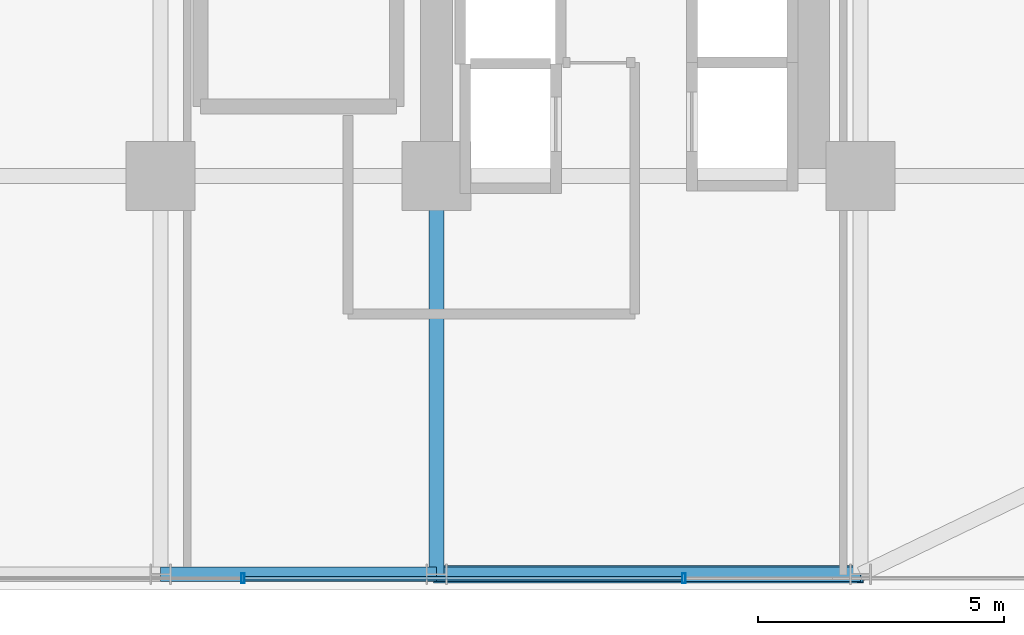
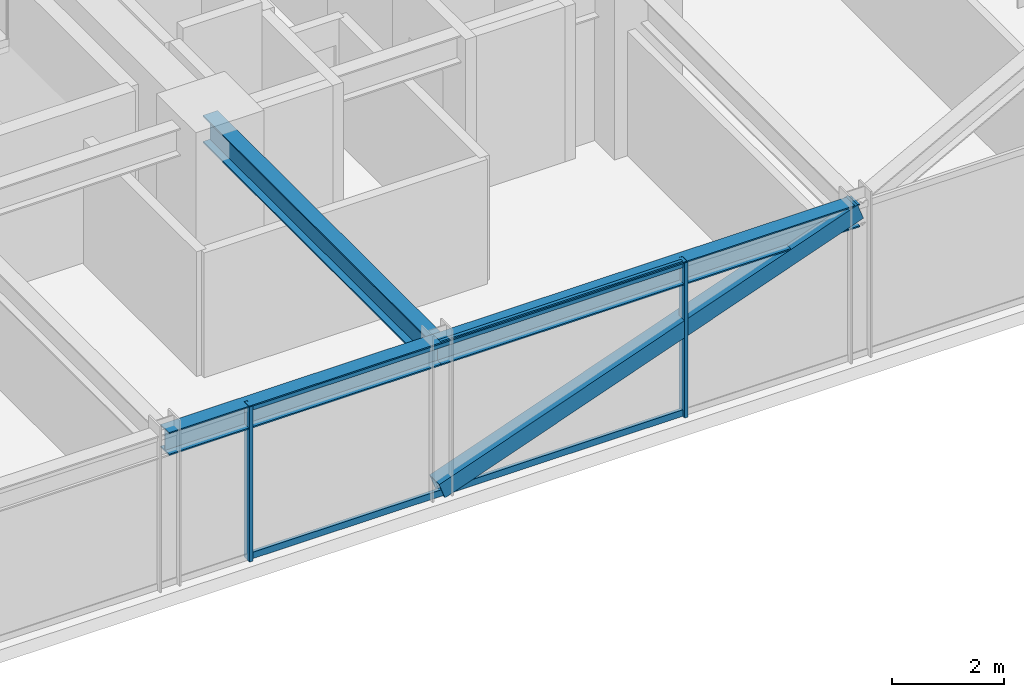
# One storey, part 12 of 43: 5 members, 3 beams, 1 element without a shape of its own.
"""IFC4 building model written with IfcOpenShell, lengths in metres."""

from ifc_helpers import new_model, si_unit, direction, frame, origin, origin_2d, place, context, subcontext, project, spatial, hollow_rectangle, i_section, extrude, source, transform, mapped, material, material_profile, profile_set, type_object, element, aggregate, save


model = new_model("IFC4")

# Units and contexts
model_context = context("Model", 3, precision=1e-05, world=origin(), true_north=direction((0.0, 1.0)))
body_context = subcontext(model_context, "Body", "Model", "MODEL_VIEW")
ifc_project = project(units=[si_unit("LENGTHUNIT", "METRE"), si_unit("AREAUNIT", "SQUARE_METRE"), si_unit("VOLUMEUNIT", "CUBIC_METRE"), si_unit("PLANEANGLEUNIT", "RADIAN"), si_unit("MASSUNIT", "GRAM", prefix="KILO")], contexts=[model_context])

# Site, building, storey
site_placement = place(None, origin())
site = spatial("IfcSite", under=ifc_project, at=site_placement, CompositionType="ELEMENT")
building_placement = place(site_placement, origin())
building = spatial("IfcBuilding", under=site, at=building_placement, Name="Nahalor Promenade Grand Hotel", CompositionType="ELEMENT")
storey_placement = place(building_placement, frame((0.0, 0.0, 47.0)))
storey = spatial("IfcBuildingStorey", under=building, at=storey_placement, Name="L10", CompositionType="ELEMENT", Elevation=47.0)

# Beams
ifc_material_1 = material(Name="Steel S355JR", Category="steel")
ifc_material_profile_1 = material_profile(ifc_material_1, i_section(OverallWidth=0.3, OverallDepth=0.5, WebThickness=0.0145, FlangeThickness=0.028, at=origin_2d()), Name="HEB 500")
ifc_profile_set_1 = profile_set([ifc_material_profile_1], Name="Steel S355JR")
beam_type_1 = type_object("IfcBeamType", Name="Beam-Spandrel-HEB500", PredefinedType="SPANDREL", material=ifc_profile_set_1)
shared_shape_1 = source(origin(), body_context, "Body", "SweptSolid", [
    extrude(i_section(OverallWidth=0.3, OverallDepth=0.5, WebThickness=0.0145, FlangeThickness=0.028, at=origin_2d()), origin(), (0.0, 0.0, 1.0), 8.60009765625),
])
beam_1_placement = place(storey_placement, frame((8.39990234375, -25.080078125, 3.1201171875), z_axis=(1.0, 0.0, 0.0), x_axis=(0.0, 1.0, 0.0)))
element("IfcBeam", 1, at=beam_1_placement, inside=storey, type_object=beam_type_1, Name="BM-L10-SP-S-4", PredefinedType="SPANDREL", context=body_context, shape_type="MappedRepresentation", body=[
    mapped(shared_shape_1, transform((0.0, 0.0, 0.0), scale=1.0)),
])
shared_shape_2 = source(origin(), body_context, "Body", "SweptSolid", [
    extrude(i_section(OverallWidth=0.3, OverallDepth=0.5, WebThickness=0.0145, FlangeThickness=0.028, at=origin_2d()), origin(), (0.0, 0.0, 1.0), 5.599853515625),
])
beam_2_placement = place(storey_placement, frame((2.800048828125, -25.080078125, 3.1201171875), z_axis=(1.0, 0.0, 0.0), x_axis=(0.0, 1.0, 0.0)))
element("IfcBeam", 2, at=beam_2_placement, inside=storey, type_object=beam_type_1, Name="BM-L10-SP-S-3", PredefinedType="SPANDREL", context=body_context, shape_type="MappedRepresentation", body=[
    mapped(shared_shape_2, transform((0.0, 0.0, 0.0), scale=1.0)),
])
ifc_material_profile_2 = material_profile(ifc_material_1, i_section(OverallWidth=0.3, OverallDepth=0.6, WebThickness=0.0155, FlangeThickness=0.03, at=origin_2d()), Name="HEB 600")
ifc_profile_set_2 = profile_set([ifc_material_profile_2], Name="Steel S355JR")
beam_type_2 = type_object("IfcBeamType", Name="Beam-Girder-HEB600", PredefinedType="BEAM", material=ifc_profile_set_2)
shared_shape_3 = source(origin(), body_context, "Body", "SweptSolid", [
    extrude(i_section(OverallWidth=0.3, OverallDepth=0.6, WebThickness=0.0155, FlangeThickness=0.03, at=origin_2d()), origin(), (0.0, 0.0, 1.0), 8.080078125),
])
beam_3_placement = place(storey_placement, frame((8.39990234375, -25.080078125, 3.070068359375), z_axis=(0.0, 1.0, 0.0), x_axis=(-1.0, 0.0, 0.0)))
element("IfcBeam", 3, at=beam_3_placement, inside=storey, type_object=beam_type_2, Name="BM-L10-GY-4-0", PredefinedType="BEAM", context=body_context, shape_type="MappedRepresentation", body=[
    mapped(shared_shape_3, transform((0.0, 0.0, 0.0), scale=1.0)),
])

# Member
ifc_material_profile_3 = material_profile(ifc_material_1, hollow_rectangle(XDim=0.35, YDim=0.35, WallThickness=0.02, at=origin_2d()), Name="SHS 350x350x20")
ifc_profile_set_3 = profile_set([ifc_material_profile_3], Name="Steel S355JR")
member_type_1 = type_object("IfcMemberType", Name="Mem-VoidBrace-SHS350", PredefinedType="BRACE", material=ifc_profile_set_3)
shared_shape_4 = source(origin(), body_context, "Body", "SweptSolid", [
    extrude(hollow_rectangle(XDim=0.35, YDim=0.35, WallThickness=0.02, at=origin_2d()), origin(), (0.0, 0.0, 1.0), 9.131591796875),
])
member_1_placement = place(storey_placement, frame((8.39990234375, -25.080078125, 0.14990234375), z_axis=(0.941790292179, 0.0, 0.336200900589), x_axis=(0.0, 1.0, 0.0)))
element("IfcMember", 4, at=member_1_placement, inside=storey, type_object=member_type_1, Name="EXO-L10-S-1", PredefinedType="BRACE", context=body_context, shape_type="MappedRepresentation", body=[
    mapped(shared_shape_4, transform((0.0, 0.0, 0.0), scale=1.0)),
])

# Curtain wall, members
ifc_material_2 = material(Name="Anodised Bronze Aluminium EN AW-6063 T6", Category="aluminium")
curtain_wall_type = type_object("IfcCurtainWallType", Name="CW3 Elliptical-Void Collar Unitised Curtain Wall", PredefinedType="USERDEFINED", material=ifc_material_2)
curtain_wall_placement = place(storey_placement, origin())
curtain_wall = element("IfcCurtainWall", 5, at=curtain_wall_placement, inside=storey, type_object=curtain_wall_type, Name="L10 Curtain Wall CW-L10-S-1", ObjectType="UNITISED_CURTAIN_WALL", PredefinedType="USERDEFINED")
ifc_material_profile_4 = material_profile(ifc_material_2, hollow_rectangle(XDim=0.07, YDim=0.14, WallThickness=0.004, at=origin_2d()), Name="CWT 70x140x4")
ifc_profile_set_4 = profile_set([ifc_material_profile_4], Name="Anodised Bronze Aluminium EN AW-6063 T6")
member_type_2 = type_object("IfcMemberType", Name="CWT3 Void Collar Transom 70x140", PredefinedType="USERDEFINED", material=ifc_profile_set_4)
shared_shape_5 = source(origin(), body_context, "Body", "SweptSolid", [
    extrude(hollow_rectangle(XDim=0.07, YDim=0.14, WallThickness=0.004, at=origin_2d()), origin(), (0.0, 0.0, 1.0), 8.8740234375),
])
member_2_placement = place(storey_placement, frame((4.507080078125, -25.159912109375, 0.070068359375), z_axis=(1.0, 0.0, 0.0), x_axis=(0.0, 1.0, 0.0)))
member_2 = element("IfcMember", 6, at=member_2_placement, type_object=member_type_2, Name="CW-L10-S-1 Transom 3-0", ObjectType="TRANSOM", PredefinedType="USERDEFINED", context=body_context, shape_type="MappedRepresentation", body=[
    mapped(shared_shape_5, transform((0.0, 0.0, 0.0), scale=1.0)),
])
member_3_placement = place(storey_placement, frame((4.507080078125, -25.159912109375, 3.300048828125), z_axis=(1.0, 0.0, 0.0), x_axis=(0.0, 1.0, 0.0)))
member_3 = element("IfcMember", 7, at=member_3_placement, type_object=member_type_2, Name="CW-L10-S-1 Transom 3-1", ObjectType="TRANSOM", PredefinedType="USERDEFINED", context=body_context, shape_type="MappedRepresentation", body=[
    mapped(shared_shape_5, transform((0.0, 0.0, 0.0), scale=1.0)),
])
ifc_material_profile_5 = material_profile(ifc_material_2, hollow_rectangle(XDim=0.07, YDim=0.2, WallThickness=0.005, at=origin_2d()), Name="CWM 70x200x5")
ifc_profile_set_5 = profile_set([ifc_material_profile_5], Name="Anodised Bronze Aluminium EN AW-6063 T6")
member_type_3 = type_object("IfcMemberType", Name="CWM3 Void Collar Mullion 70x200", PredefinedType="MULLION", material=ifc_profile_set_5)
shared_shape_6 = source(origin(), body_context, "Body", "SweptSolid", [
    extrude(hollow_rectangle(XDim=0.07, YDim=0.2, WallThickness=0.005, at=origin_2d()), origin(), (0.0, 0.0, 1.0), 3.3701171875),
])
member_4_placement = place(storey_placement, frame((4.471923828125, -25.159912109375, 0.0), z_axis=(0.0, 0.0, 1.0), x_axis=(1.0, 0.0, 0.0)))
member_4 = element("IfcMember", 8, at=member_4_placement, type_object=member_type_3, Name="CW-L10-S-1 Mullion 3", PredefinedType="MULLION", context=body_context, shape_type="MappedRepresentation", body=[
    mapped(shared_shape_6, transform((0.0, 0.0, 0.0), scale=1.0)),
])
member_5_placement = place(storey_placement, frame((13.416015625, -25.159912109375, 0.0), z_axis=(0.0, 0.0, 1.0), x_axis=(1.0, 0.0, 0.0)))
member_5 = element("IfcMember", 9, at=member_5_placement, type_object=member_type_3, Name="CW-L10-S-1 Mullion 4", PredefinedType="MULLION", context=body_context, shape_type="MappedRepresentation", body=[
    mapped(shared_shape_6, transform((0.0, 0.0, 0.0), scale=1.0)),
])
aggregate(curtain_wall, [member_4, member_5, member_2, member_3])

save(model, "model.ifc")
